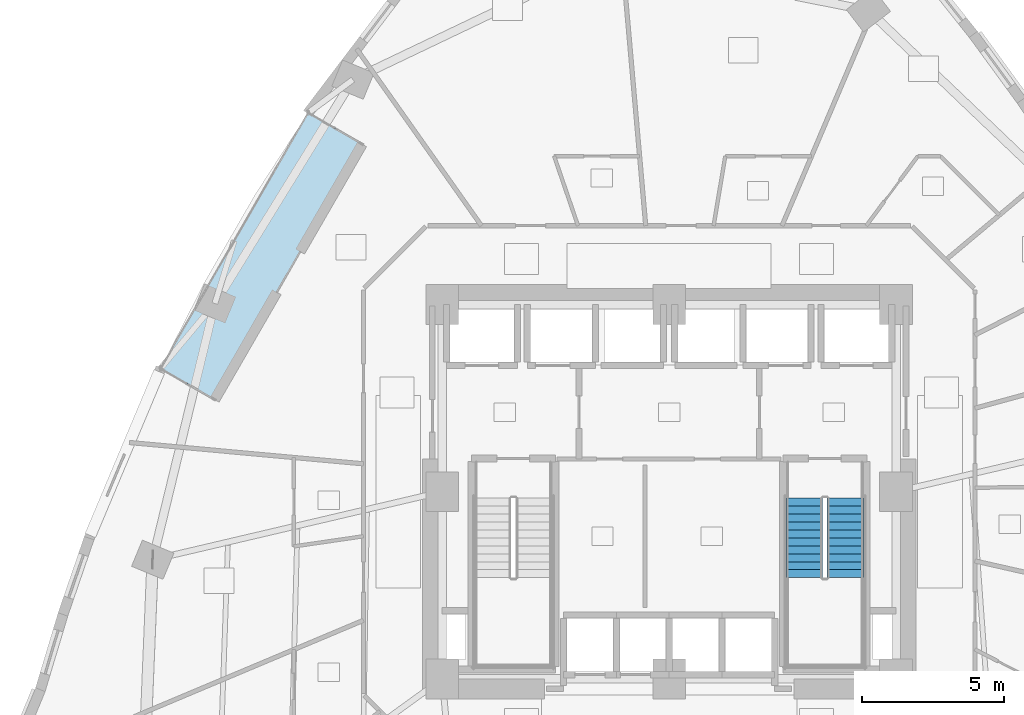
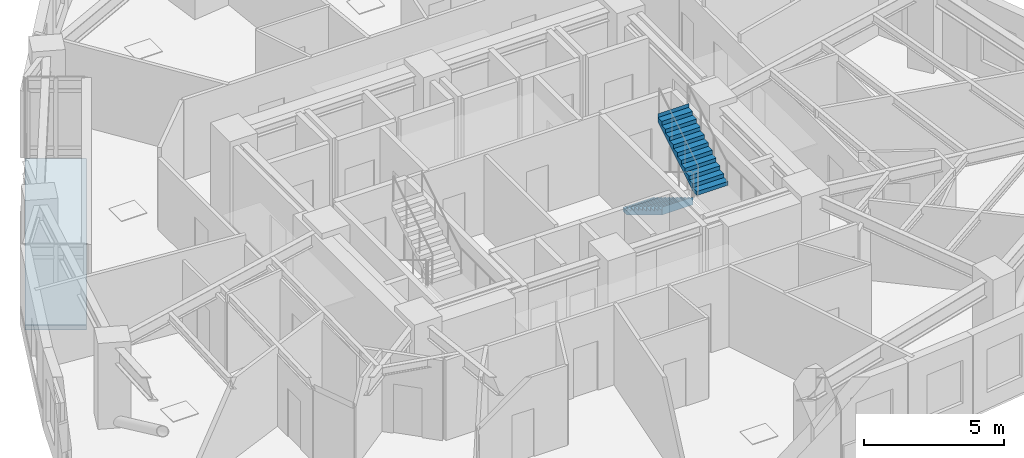
# One storey, part 10 of 13: 2 stair flights, 1 roof, 1 element without a shape of its own.
"""IFC4 building model written with IfcOpenShell, lengths in metres."""

from ifc_helpers import new_model, si_unit, direction, frame, origin, place, context, subcontext, project, spatial, polyline, outline, extrude, material, layer, layer_set, type_object, element, aggregate, save


model = new_model("IFC4")

# Units and contexts
model_context = context("Model", 3, precision=1e-05, world=origin(), true_north=direction((0.0, 1.0)))
body_context = subcontext(model_context, "Body", "Model", "MODEL_VIEW")
ifc_project = project(units=[si_unit("LENGTHUNIT", "METRE"), si_unit("AREAUNIT", "SQUARE_METRE"), si_unit("VOLUMEUNIT", "CUBIC_METRE"), si_unit("PLANEANGLEUNIT", "RADIAN"), si_unit("MASSUNIT", "GRAM", prefix="KILO")], contexts=[model_context])

# Site, building, storey
site_placement = place(None, origin())
site = spatial("IfcSite", under=ifc_project, at=site_placement, CompositionType="ELEMENT")
building_placement = place(site_placement, origin())
building = spatial("IfcBuilding", under=site, at=building_placement, Name="Ndelora Gate Hotel", CompositionType="ELEMENT")
storey_placement = place(building_placement, frame((0.0, 0.0, 34.25)))
storey = spatial("IfcBuildingStorey", under=building, at=storey_placement, Name="L07", CompositionType="ELEMENT", Elevation=34.25)

# Stair, stair flights
ifc_material_1 = material(Name="Precast concrete C40/50", Category="concrete")
stair_type = type_object("IfcStairType", Name="STR-DOG-CORE", PredefinedType="HALF_TURN_STAIR", material=ifc_material_1)
stair_placement = place(storey_placement, origin())
stair = element("IfcStair", 1, at=stair_placement, inside=storey, type_object=stair_type, Name="L07 Protected Core Exit Stair ST5", PredefinedType="HALF_TURN_STAIR")
stair_flight_type = type_object("IfcStairFlightType", Name="STF-PRECAST", PredefinedType="STRAIGHT", material=ifc_material_1)
stair_flight_1_placement = place(storey_placement, frame((4.77001953125, -0.22998046875, 0.0), z_axis=(0.0, 0.0, 1.0), x_axis=(0.0, -1.0, 0.0)))
stair_flight_1 = element("IfcStairFlight", 2, at=stair_flight_1_placement, type_object=stair_flight_type, Name="ST5 flight 1", NumberOfRisers=11, NumberOfTreads=10, PredefinedType="STRAIGHT", RiserHeight=0.170454545, TreadLength=0.28, context=body_context, shape_type="SweptSolid", body=[
    extrude(outline(polyline([(-0.00048828125, 0.0), (-0.00048828125, 0.17041015625), (0.0, 0.17041015625), (0.280029296875, 0.17041015625), (0.280029296875, 0.3408203125), (0.56005859375, 0.3408203125), (0.56005859375, 0.511474609375), (0.840087890625, 0.511474609375), (0.840087890625, 0.681884765625), (1.1201171875, 0.681884765625), (1.1201171875, 0.852294921875), (1.39990234375, 0.852294921875), (1.39990234375, 1.022705078125), (1.679931640625, 1.022705078125), (1.679931640625, 1.193115234375), (1.9599609375, 1.193115234375), (1.9599609375, 1.363525390625), (2.239990234375, 1.363525390625), (2.239990234375, 1.5341796875), (2.52001953125, 1.5341796875), (2.52001953125, 1.70458984375), (2.800048828125, 1.70458984375), (2.800048828125, 1.875), (2.800537109375, 1.875), (2.800537109375, 1.695068359375), (2.800048828125, 1.529052734375), (0.288330078125, 0.0), (-0.00048828125, 0.0)])), frame((0.0, 0.64013671875, 0.0), z_axis=(0.0, -1.0, 0.0), x_axis=(1.0, 0.0, 0.0)), (0.0, 0.0, 1.0), 1.280029296875),
])
stair_flight_2_placement = place(storey_placement, frame((6.2099609375, -3.030029296875, 1.875), z_axis=(0.0, 0.0, 1.0), x_axis=(0.0, 1.0, 0.0)))
stair_flight_2 = element("IfcStairFlight", 3, at=stair_flight_2_placement, type_object=stair_flight_type, Name="ST5 flight 2", NumberOfRisers=11, NumberOfTreads=10, PredefinedType="STRAIGHT", RiserHeight=0.170454545, TreadLength=0.28, context=body_context, shape_type="SweptSolid", body=[
    extrude(outline(polyline([(-0.00048828125, 0.0), (-0.00048828125, 0.17041015625), (0.0, 0.17041015625), (0.280029296875, 0.17041015625), (0.280029296875, 0.3408203125), (0.56005859375, 0.3408203125), (0.56005859375, 0.511474609375), (0.840087890625, 0.511474609375), (0.840087890625, 0.681884765625), (1.1201171875, 0.681884765625), (1.1201171875, 0.852294921875), (1.39990234375, 0.852294921875), (1.39990234375, 1.022705078125), (1.679931640625, 1.022705078125), (1.679931640625, 1.193115234375), (1.9599609375, 1.193115234375), (1.9599609375, 1.363525390625), (2.239990234375, 1.363525390625), (2.239990234375, 1.5341796875), (2.52001953125, 1.5341796875), (2.52001953125, 1.70458984375), (2.800048828125, 1.70458984375), (2.800048828125, 1.875), (2.800537109375, 1.875), (2.800537109375, 1.695068359375), (2.800048828125, 1.529052734375), (0.288330078125, 0.0), (-0.00048828125, 0.0)])), frame((0.0, 0.64013671875, 0.0), z_axis=(0.0, -1.0, 0.0), x_axis=(1.0, 0.0, 0.0)), (0.0, 0.0, 1.0), 1.280029296875),
])
aggregate(stair, [stair_flight_1, stair_flight_2])

# Roof
ifc_material_2 = material(Name="Architectural Bronze Clad Steel Canopy", Category="steel")
ifc_layer = layer(ifc_material_2, 0.219970703125)
ifc_layer_set = layer_set([ifc_layer], Name="Architectural Bronze Clad Steel Canopy")
roof_type = type_object("IfcRoofType", Name="RF-CANOPY-200", PredefinedType="PAVILION_ROOF", material=ifc_layer_set)
roof_placement = place(storey_placement, frame((0.0, 0.0, -0.25)))
element("IfcRoof", 4, at=roof_placement, inside=storey, type_object=roof_type, Name="L07 Sky-Garden Feature Weather Canopy", PredefinedType="PAVILION_ROOF", context=body_context, shape_type="SweptSolid", body=[
    extrude(outline(polyline([(-10.824951171875, 12.254150390625), (-12.730224609375, 13.354248046875), (-17.93017578125, 4.34765625), (-16.02490234375, 3.24755859375), (-10.824951171875, 12.254150390625)])), origin(), (0.0, 0.0, 1.0), 0.219970703125),
])

save(model, "model.ifc")
